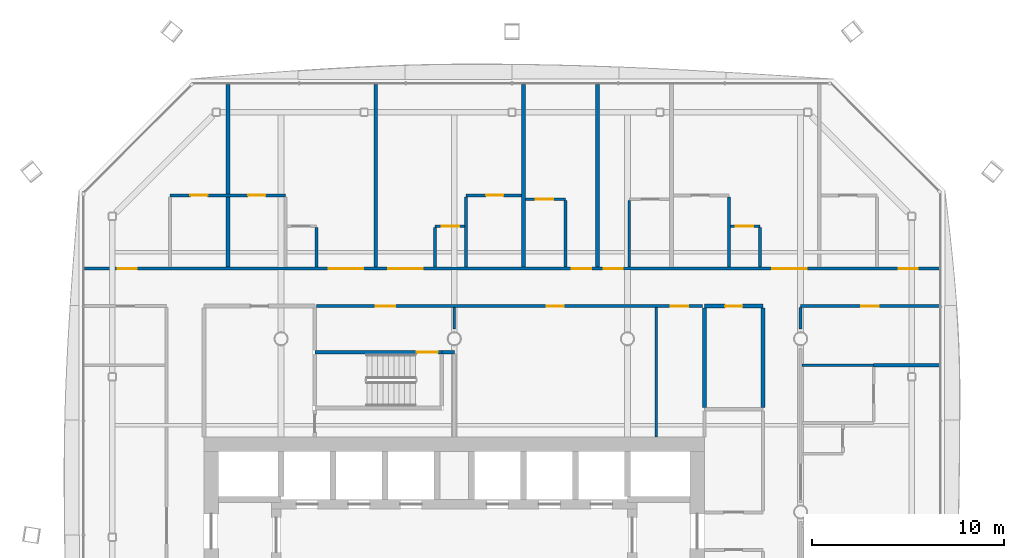
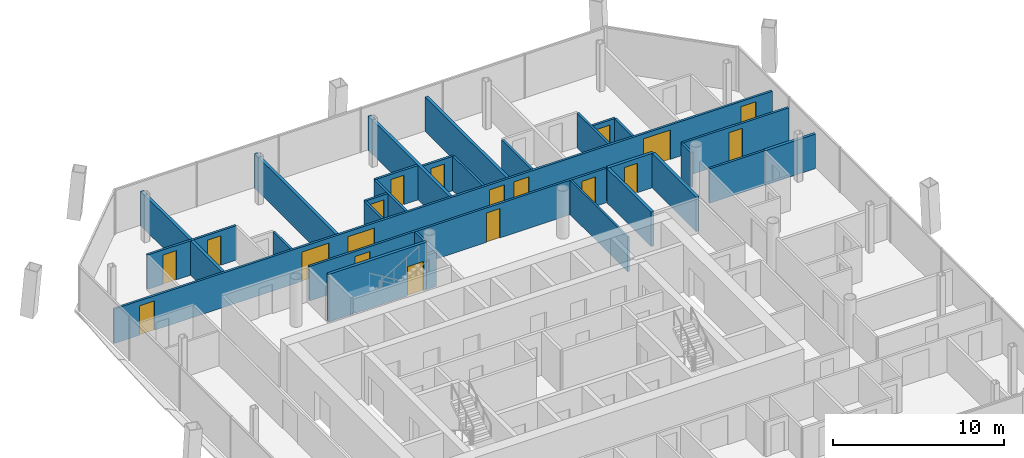
# One storey, part 16 of 21: 29 walls, 19 doors, 19 openings.
"""IFC4 building model written with IfcOpenShell, lengths in metres."""

from ifc_helpers import new_model, si_unit, direction, frame, frame_2d, origin, place, context, subcontext, project, spatial, rectangle, extrude, material, layer, layer_set, type_object, element, fill, save


model = new_model("IFC4")

# Units and contexts
model_context = context("Model", 3, precision=1e-05, world=origin(), true_north=direction((0.0, 1.0)))
body_context = subcontext(model_context, "Body", "Model", "MODEL_VIEW")
ifc_project = project(units=[si_unit("LENGTHUNIT", "METRE"), si_unit("AREAUNIT", "SQUARE_METRE"), si_unit("VOLUMEUNIT", "CUBIC_METRE"), si_unit("PLANEANGLEUNIT", "RADIAN"), si_unit("MASSUNIT", "GRAM", prefix="KILO")], contexts=[model_context])

# Site, building, storey
site_placement = place(None, origin())
site = spatial("IfcSite", under=ifc_project, at=site_placement, CompositionType="ELEMENT")
building_placement = place(site_placement, origin())
building = spatial("IfcBuilding", under=site, at=building_placement, Name="Tskaro Facet Tower", CompositionType="ELEMENT")
storey_placement = place(building_placement, frame((0.0, 0.0, 148.699951171875)))
storey = spatial("IfcBuildingStorey", under=building, at=storey_placement, Name="L36", CompositionType="ELEMENT", Elevation=148.699951171875)

# Walls
ifc_material_1 = material(Name="Gypsum board on steel studs", Category="steel")
ifc_layer_1 = layer(ifc_material_1, 0.125, Name="Gypsum board on steel studs")
ifc_layer_set_1 = layer_set([ifc_layer_1], Name="Gypsum board on steel studs")
wall_type_1 = type_object("IfcWallType", Name="PART", PredefinedType="PARTITIONING", material=ifc_layer_set_1)
wall_1_placement = place(storey_placement, frame((10.5, 3.89990234375, 0.0), z_axis=(0.0, 0.0, 1.0), x_axis=(0.0, 1.0, 0.0)))
element("IfcWall", 1, at=wall_1_placement, inside=storey, type_object=wall_type_1, Name="Partition W101", PredefinedType="PARTITIONING", context=body_context, shape_type="SweptSolid", body=[
    extrude(rectangle(XDim=6.72509765625, YDim=0.125, at=frame_2d((3.362548828125, 0.0))), origin(), (0.0, 0.0, 1.0), 2.4599609375),
])
ifc_layer_2 = layer(ifc_material_1, 0.14990234375, Name="Gypsum board on steel studs")
ifc_layer_set_2 = layer_set([ifc_layer_2], Name="Gypsum board on steel studs")
wall_type_2 = type_object("IfcWallType", Name="PART-CORR", PredefinedType="PARTITIONING", material=ifc_layer_set_2)
wall_2_placement = place(storey_placement, frame((18.074951171875, 7.6259765625, 0.0), z_axis=(0.0, 0.0, 1.0), x_axis=(1.0, 0.0, 0.0)))
element("IfcWall", 2, at=wall_2_placement, inside=storey, type_object=wall_type_2, Name="Corridor wall W035", PredefinedType="PARTITIONING", context=body_context, shape_type="SweptSolid", body=[
    extrude(rectangle(XDim=3.72509765625, YDim=0.14990234375, at=frame_2d((1.862548828125, 0.0))), origin(), (0.0, 0.0, 1.0), 2.4599609375),
])

# Wall, openings, doors
wall_3_placement = place(storey_placement, frame((12.89990234375, 10.699951171875, 0.0), z_axis=(0.0, 0.0, 1.0), x_axis=(-1.0, 0.0, 0.0)))
wall_3 = element("IfcWall", 3, at=wall_3_placement, inside=storey, type_object=wall_type_2, Name="Corridor wall W041", PredefinedType="PARTITIONING", context=body_context, shape_type="SweptSolid", body=[
    extrude(rectangle(XDim=20.0498046875, YDim=0.14990234375, at=frame_2d((10.02490234375, 0.0))), origin(), (0.0, 0.0, 1.0), 2.4599609375),
])
opening_1_placement = place(wall_3_placement, frame((15.97509765625, 0.0, 0.0)))
opening_1 = element("IfcOpeningElement", 4, at=opening_1_placement, cuts=wall_3, Name="Opening T10-D44", PredefinedType="OPENING", context=body_context, shape_type="SweptSolid", body=[
    extrude(rectangle(XDim=1.0, YDim=2.10009765625, at=frame_2d((0.5, 1.050048828125))), frame((0.0, 0.0849609375, 0.0), z_axis=(0.0, -1.0, 0.0), x_axis=(1.0, 0.0, 0.0)), (0.0, 0.0, 1.0), 0.169921875),
])
opening_2_placement = place(wall_3_placement, frame((7.199951171875, 0.0, 0.0)))
opening_2 = element("IfcOpeningElement", 5, at=opening_2_placement, cuts=wall_3, Name="Opening T10-D45", PredefinedType="OPENING", context=body_context, shape_type="SweptSolid", body=[
    extrude(rectangle(XDim=0.89990234375, YDim=2.10009765625, at=frame_2d((0.449951171875, 1.050048828125))), frame((0.0, 0.0849609375, 0.0), z_axis=(0.0, -1.0, 0.0), x_axis=(1.0, 0.0, 0.0)), (0.0, 0.0, 1.0), 0.169921875),
])
opening_3_placement = place(wall_3_placement, frame((0.75, 0.0, 0.0)))
opening_3 = element("IfcOpeningElement", 6, at=opening_3_placement, cuts=wall_3, Name="Opening T10-D46", PredefinedType="OPENING", context=body_context, shape_type="SweptSolid", body=[
    extrude(rectangle(XDim=0.89990234375, YDim=2.10009765625, at=frame_2d((0.449951171875, 1.050048828125))), frame((0.0, 0.0849609375, 0.0), z_axis=(0.0, -1.0, 0.0), x_axis=(1.0, 0.0, 0.0)), (0.0, 0.0, 1.0), 0.169921875),
])
ifc_material_2 = material(Name="Steel", Category="steel")
door_type_1 = type_object("IfcDoorType", Name="D-LOBBY", OperationType="NOTDEFINED", PredefinedType="DOOR", material=ifc_material_2)
door_1_placement = place(opening_1_placement, origin())
door_1 = element("IfcDoor", 7, at=door_1_placement, inside=storey, type_object=door_type_1, Name="Stair lobby door", OperationType="SINGLE_SWING_RIGHT", OverallHeight=2.10009765625, OverallWidth=1.0, PredefinedType="DOOR", context=body_context, shape_type="SweptSolid", body=[
    extrude(rectangle(XDim=1.0, YDim=2.10009765625, at=frame_2d((0.5, 1.050048828125))), frame((0.0, 0.02490234375, 0.0), z_axis=(0.0, -1.0, 0.0), x_axis=(1.0, 0.0, 0.0)), (0.0, 0.0, 1.0), 0.050048828125),
])
fill(opening_1, door_1)
ifc_material_3 = material(Name="Timber", Category="wood")
door_type_2 = type_object("IfcDoorType", Name="D-ROOM", OperationType="NOTDEFINED", PredefinedType="DOOR", material=ifc_material_3)
door_2_placement = place(opening_2_placement, origin())
door_2 = element("IfcDoor", 8, at=door_2_placement, inside=storey, type_object=door_type_2, Name="Door T10-D45", OperationType="SINGLE_SWING_RIGHT", OverallHeight=2.10009765625, OverallWidth=0.89990234375, PredefinedType="DOOR", context=body_context, shape_type="SweptSolid", body=[
    extrude(rectangle(XDim=0.89990234375, YDim=2.10009765625, at=frame_2d((0.449951171875, 1.050048828125))), frame((0.0, 0.02490234375, 0.0), z_axis=(0.0, -1.0, 0.0), x_axis=(1.0, 0.0, 0.0)), (0.0, 0.0, 1.0), 0.050048828125),
])
fill(opening_2, door_2)
door_3_placement = place(opening_3_placement, origin())
door_3 = element("IfcDoor", 9, at=door_3_placement, inside=storey, type_object=door_type_2, Name="Door T10-D46", OperationType="SINGLE_SWING_RIGHT", OverallHeight=2.10009765625, OverallWidth=0.89990234375, PredefinedType="DOOR", context=body_context, shape_type="SweptSolid", body=[
    extrude(rectangle(XDim=0.89990234375, YDim=2.10009765625, at=frame_2d((0.449951171875, 1.050048828125))), frame((0.0, 0.02490234375, 0.0), z_axis=(0.0, -1.0, 0.0), x_axis=(1.0, 0.0, 0.0)), (0.0, 0.0, 1.0), 0.050048828125),
])
fill(opening_3, door_3)

# Wall, opening, door
wall_4_placement = place(storey_placement, frame((25.221923828125, 10.699951171875, 0.0), z_axis=(0.0, 0.0, 1.0), x_axis=(-1.0, 0.0, 0.0)))
wall_4 = element("IfcWall", 10, at=wall_4_placement, inside=storey, type_object=wall_type_2, Name="Corridor wall W043", PredefinedType="PARTITIONING", context=body_context, shape_type="SweptSolid", body=[
    extrude(rectangle(XDim=7.221923828125, YDim=0.14990234375, at=frame_2d((3.61083984375, 0.0))), origin(), (0.0, 0.0, 1.0), 2.4599609375),
])
opening_4_placement = place(wall_4_placement, frame((3.160888671875, 0.0, 0.0)))
opening_4 = element("IfcOpeningElement", 11, at=opening_4_placement, cuts=wall_4, Name="Opening T10-D48", PredefinedType="OPENING", context=body_context, shape_type="SweptSolid", body=[
    extrude(rectangle(XDim=0.89990234375, YDim=2.10009765625, at=frame_2d((0.449951171875, 1.050048828125))), frame((0.0, 0.0849609375, 0.0), z_axis=(0.0, -1.0, 0.0), x_axis=(1.0, 0.0, 0.0)), (0.0, 0.0, 1.0), 0.169921875),
])
door_4_placement = place(opening_4_placement, origin())
door_4 = element("IfcDoor", 12, at=door_4_placement, inside=storey, type_object=door_type_2, Name="Door T10-D48", OperationType="SINGLE_SWING_RIGHT", OverallHeight=2.10009765625, OverallWidth=0.89990234375, PredefinedType="DOOR", context=body_context, shape_type="SweptSolid", body=[
    extrude(rectangle(XDim=0.89990234375, YDim=2.10009765625, at=frame_2d((0.449951171875, 1.050048828125))), frame((0.0, 0.02490234375, 0.0), z_axis=(0.0, -1.0, 0.0), x_axis=(1.0, 0.0, 0.0)), (0.0, 0.0, 1.0), 0.050048828125),
])
fill(opening_4, door_4)

# Wall, openings, doors
wall_5_placement = place(storey_placement, frame((-19.221923828125, 12.64990234375, 0.0), z_axis=(0.0, 0.0, 1.0), x_axis=(1.0, 0.0, 0.0)))
wall_5 = element("IfcWall", 13, at=wall_5_placement, inside=storey, type_object=wall_type_2, Name="Corridor wall W044", PredefinedType="PARTITIONING", context=body_context, shape_type="SweptSolid", body=[
    extrude(rectangle(XDim=44.44384765625, YDim=0.14990234375, at=frame_2d((22.221923828125, 0.0))), origin(), (0.0, 0.0, 1.0), 2.4599609375),
])
opening_5_placement = place(wall_5_placement, frame((1.72705078125, 0.0, 0.0)))
opening_5 = element("IfcOpeningElement", 14, at=opening_5_placement, cuts=wall_5, Name="Opening T10-D49", PredefinedType="OPENING", context=body_context, shape_type="SweptSolid", body=[
    extrude(rectangle(XDim=1.0, YDim=2.10009765625, at=frame_2d((0.5, 1.050048828125))), frame((0.0, 0.0849609375, 0.0), z_axis=(0.0, -1.0, 0.0), x_axis=(1.0, 0.0, 0.0)), (0.0, 0.0, 1.0), 0.169921875),
])
opening_6_placement = place(wall_5_placement, frame((12.696044921875, 0.0, 0.0)))
opening_6 = element("IfcOpeningElement", 15, at=opening_6_placement, cuts=wall_5, Name="Opening T10-D50", PredefinedType="OPENING", context=body_context, shape_type="SweptSolid", body=[
    extrude(rectangle(XDim=1.800048828125, YDim=2.10009765625, at=frame_2d((0.89990234375, 1.050048828125))), frame((0.0, 0.0849609375, 0.0), z_axis=(0.0, -1.0, 0.0), x_axis=(1.0, 0.0, 0.0)), (0.0, 0.0, 1.0), 0.169921875),
])
opening_7_placement = place(wall_5_placement, frame((15.780029296875, 0.0, 0.0)))
opening_7 = element("IfcOpeningElement", 16, at=opening_7_placement, cuts=wall_5, Name="Opening T10-D51", PredefinedType="OPENING", context=body_context, shape_type="SweptSolid", body=[
    extrude(rectangle(XDim=1.800048828125, YDim=2.10009765625, at=frame_2d((0.89990234375, 1.050048828125))), frame((0.0, 0.0849609375, 0.0), z_axis=(0.0, -1.0, 0.0), x_axis=(1.0, 0.0, 0.0)), (0.0, 0.0, 1.0), 0.169921875),
])
opening_8_placement = place(wall_5_placement, frame((25.337890625, 0.0, 0.0)))
opening_8 = element("IfcOpeningElement", 17, at=opening_8_placement, cuts=wall_5, Name="Opening T10-D52", PredefinedType="OPENING", context=body_context, shape_type="SweptSolid", body=[
    extrude(rectangle(XDim=1.0, YDim=2.10009765625, at=frame_2d((0.5, 1.050048828125))), frame((0.0, 0.0849609375, 0.0), z_axis=(0.0, -1.0, 0.0), x_axis=(1.0, 0.0, 0.0)), (0.0, 0.0, 1.0), 0.169921875),
])
opening_9_placement = place(wall_5_placement, frame((26.989990234375, 0.0, 0.0)))
opening_9 = element("IfcOpeningElement", 18, at=opening_9_placement, cuts=wall_5, Name="Opening T10-D53", PredefinedType="OPENING", context=body_context, shape_type="SweptSolid", body=[
    extrude(rectangle(XDim=1.0, YDim=2.10009765625, at=frame_2d((0.5, 1.050048828125))), frame((0.0, 0.0849609375, 0.0), z_axis=(0.0, -1.0, 0.0), x_axis=(1.0, 0.0, 0.0)), (0.0, 0.0, 1.0), 0.169921875),
])
opening_10_placement = place(wall_5_placement, frame((35.748046875, 0.0, 0.0)))
opening_10 = element("IfcOpeningElement", 19, at=opening_10_placement, cuts=wall_5, Name="Opening T10-D54", PredefinedType="OPENING", context=body_context, shape_type="SweptSolid", body=[
    extrude(rectangle(XDim=1.800048828125, YDim=2.10009765625, at=frame_2d((0.89990234375, 1.050048828125))), frame((0.0, 0.0849609375, 0.0), z_axis=(0.0, -1.0, 0.0), x_axis=(1.0, 0.0, 0.0)), (0.0, 0.0, 1.0), 0.169921875),
])
opening_11_placement = place(wall_5_placement, frame((42.31689453125, 0.0, 0.0)))
opening_11 = element("IfcOpeningElement", 20, at=opening_11_placement, cuts=wall_5, Name="Opening T10-D55", PredefinedType="OPENING", context=body_context, shape_type="SweptSolid", body=[
    extrude(rectangle(XDim=1.0, YDim=2.10009765625, at=frame_2d((0.5, 1.050048828125))), frame((0.0, 0.0849609375, 0.0), z_axis=(0.0, -1.0, 0.0), x_axis=(1.0, 0.0, 0.0)), (0.0, 0.0, 1.0), 0.169921875),
])
door_type_3 = type_object("IfcDoorType", Name="D-ENTRY", OperationType="NOTDEFINED", PredefinedType="DOOR", material=ifc_material_3)
door_5_placement = place(opening_5_placement, origin())
door_5 = element("IfcDoor", 21, at=door_5_placement, inside=storey, type_object=door_type_3, Name="Door T10-D49", OperationType="SINGLE_SWING_RIGHT", OverallHeight=2.10009765625, OverallWidth=1.0, PredefinedType="DOOR", context=body_context, shape_type="SweptSolid", body=[
    extrude(rectangle(XDim=1.0, YDim=2.10009765625, at=frame_2d((0.5, 1.050048828125))), frame((0.0, 0.02490234375, 0.0), z_axis=(0.0, -1.0, 0.0), x_axis=(1.0, 0.0, 0.0)), (0.0, 0.0, 1.0), 0.050048828125),
])
fill(opening_5, door_5)
door_6_placement = place(opening_8_placement, origin())
door_6 = element("IfcDoor", 22, at=door_6_placement, inside=storey, type_object=door_type_3, Name="Door T10-D52", OperationType="SINGLE_SWING_RIGHT", OverallHeight=2.10009765625, OverallWidth=1.0, PredefinedType="DOOR", context=body_context, shape_type="SweptSolid", body=[
    extrude(rectangle(XDim=1.0, YDim=2.10009765625, at=frame_2d((0.5, 1.050048828125))), frame((0.0, 0.02490234375, 0.0), z_axis=(0.0, -1.0, 0.0), x_axis=(1.0, 0.0, 0.0)), (0.0, 0.0, 1.0), 0.050048828125),
])
fill(opening_8, door_6)
door_7_placement = place(opening_9_placement, origin())
door_7 = element("IfcDoor", 23, at=door_7_placement, inside=storey, type_object=door_type_3, Name="Door T10-D53", OperationType="SINGLE_SWING_RIGHT", OverallHeight=2.10009765625, OverallWidth=1.0, PredefinedType="DOOR", context=body_context, shape_type="SweptSolid", body=[
    extrude(rectangle(XDim=1.0, YDim=2.10009765625, at=frame_2d((0.5, 1.050048828125))), frame((0.0, 0.02490234375, 0.0), z_axis=(0.0, -1.0, 0.0), x_axis=(1.0, 0.0, 0.0)), (0.0, 0.0, 1.0), 0.050048828125),
])
fill(opening_9, door_7)
door_8_placement = place(opening_11_placement, origin())
door_8 = element("IfcDoor", 24, at=door_8_placement, inside=storey, type_object=door_type_3, Name="Door T10-D55", OperationType="SINGLE_SWING_RIGHT", OverallHeight=2.10009765625, OverallWidth=1.0, PredefinedType="DOOR", context=body_context, shape_type="SweptSolid", body=[
    extrude(rectangle(XDim=1.0, YDim=2.10009765625, at=frame_2d((0.5, 1.050048828125))), frame((0.0, 0.02490234375, 0.0), z_axis=(0.0, -1.0, 0.0), x_axis=(1.0, 0.0, 0.0)), (0.0, 0.0, 1.0), 0.050048828125),
])
fill(opening_11, door_8)
door_type_4 = type_object("IfcDoorType", Name="D-SUITE-PAIR", OperationType="NOTDEFINED", PredefinedType="DOOR", material=ifc_material_3)
door_9_placement = place(opening_6_placement, origin())
door_9 = element("IfcDoor", 25, at=door_9_placement, inside=storey, type_object=door_type_4, Name="Door T10-D50", OperationType="DOUBLE_DOOR_SINGLE_SWING", OverallHeight=2.10009765625, OverallWidth=1.800048828125, PredefinedType="DOOR", context=body_context, shape_type="SweptSolid", body=[
    extrude(rectangle(XDim=1.800048828125, YDim=2.10009765625, at=frame_2d((0.89990234375, 1.050048828125))), frame((0.0, 0.02490234375, 0.0), z_axis=(0.0, -1.0, 0.0), x_axis=(1.0, 0.0, 0.0)), (0.0, 0.0, 1.0), 0.050048828125),
])
fill(opening_6, door_9)
door_10_placement = place(opening_7_placement, origin())
door_10 = element("IfcDoor", 26, at=door_10_placement, inside=storey, type_object=door_type_4, Name="Door T10-D51", OperationType="DOUBLE_DOOR_SINGLE_SWING", OverallHeight=2.10009765625, OverallWidth=1.800048828125, PredefinedType="DOOR", context=body_context, shape_type="SweptSolid", body=[
    extrude(rectangle(XDim=1.800048828125, YDim=2.10009765625, at=frame_2d((0.89990234375, 1.050048828125))), frame((0.0, 0.02490234375, 0.0), z_axis=(0.0, -1.0, 0.0), x_axis=(1.0, 0.0, 0.0)), (0.0, 0.0, 1.0), 0.050048828125),
])
fill(opening_7, door_10)
door_11_placement = place(opening_10_placement, origin())
door_11 = element("IfcDoor", 27, at=door_11_placement, inside=storey, type_object=door_type_4, Name="Door T10-D54", OperationType="DOUBLE_DOOR_SINGLE_SWING", OverallHeight=2.10009765625, OverallWidth=1.800048828125, PredefinedType="DOOR", context=body_context, shape_type="SweptSolid", body=[
    extrude(rectangle(XDim=1.800048828125, YDim=2.10009765625, at=frame_2d((0.89990234375, 1.050048828125))), frame((0.0, 0.02490234375, 0.0), z_axis=(0.0, -1.0, 0.0), x_axis=(1.0, 0.0, 0.0)), (0.0, 0.0, 1.0), 0.050048828125),
])
fill(opening_10, door_11)

# Wall, opening, door
wall_6_placement = place(storey_placement, frame((0.52490234375, 14.85009765625, 0.0), z_axis=(0.0, 0.0, 1.0), x_axis=(-1.0, 0.0, 0.0)))
wall_6 = element("IfcWall", 28, at=wall_6_placement, inside=storey, type_object=wall_type_2, Name="Corridor wall W046", PredefinedType="PARTITIONING", context=body_context, shape_type="SweptSolid", body=[
    extrude(rectangle(XDim=1.52490234375, YDim=0.14990234375, at=frame_2d((0.762451171875, 0.0))), origin(), (0.0, 0.0, 1.0), 2.4599609375),
])
opening_12_placement = place(wall_6_placement, frame((0.27490234375, 0.0, 0.0)))
opening_12 = element("IfcOpeningElement", 29, at=opening_12_placement, cuts=wall_6, Name="Opening T10-D57", PredefinedType="OPENING", context=body_context, shape_type="SweptSolid", body=[
    extrude(rectangle(XDim=0.89990234375, YDim=2.10009765625, at=frame_2d((0.449951171875, 1.050048828125))), frame((0.0, 0.0849609375, 0.0), z_axis=(0.0, -1.0, 0.0), x_axis=(1.0, 0.0, 0.0)), (0.0, 0.0, 1.0), 0.169921875),
])
door_12_placement = place(opening_12_placement, origin())
door_12 = element("IfcDoor", 30, at=door_12_placement, inside=storey, type_object=door_type_2, Name="Door T10-D57", OperationType="SINGLE_SWING_RIGHT", OverallHeight=2.10009765625, OverallWidth=0.89990234375, PredefinedType="DOOR", context=body_context, shape_type="SweptSolid", body=[
    extrude(rectangle(XDim=0.89990234375, YDim=2.10009765625, at=frame_2d((0.449951171875, 1.050048828125))), frame((0.0, 0.02490234375, 0.0), z_axis=(0.0, -1.0, 0.0), x_axis=(1.0, 0.0, 0.0)), (0.0, 0.0, 1.0), 0.050048828125),
])
fill(opening_12, door_12)

wall_7_placement = place(storey_placement, frame((15.884033203125, 14.85009765625, 0.0), z_axis=(0.0, 0.0, 1.0), x_axis=(-1.0, 0.0, 0.0)))
wall_7 = element("IfcWall", 31, at=wall_7_placement, inside=storey, type_object=wall_type_2, Name="Corridor wall W047", PredefinedType="PARTITIONING", context=body_context, shape_type="SweptSolid", body=[
    extrude(rectangle(XDim=1.525146484375, YDim=0.14990234375, at=frame_2d((0.7626953125, 0.0))), origin(), (0.0, 0.0, 1.0), 2.4599609375),
])
opening_13_placement = place(wall_7_placement, frame((0.35009765625, 0.0, 0.0)))
opening_13 = element("IfcOpeningElement", 32, at=opening_13_placement, cuts=wall_7, Name="Opening T10-D58", PredefinedType="OPENING", context=body_context, shape_type="SweptSolid", body=[
    extrude(rectangle(XDim=0.89990234375, YDim=2.10009765625, at=frame_2d((0.449951171875, 1.050048828125))), frame((0.0, 0.0849609375, 0.0), z_axis=(0.0, -1.0, 0.0), x_axis=(1.0, 0.0, 0.0)), (0.0, 0.0, 1.0), 0.169921875),
])
door_13_placement = place(opening_13_placement, origin())
door_13 = element("IfcDoor", 33, at=door_13_placement, inside=storey, type_object=door_type_2, Name="Door T10-D58", OperationType="SINGLE_SWING_RIGHT", OverallHeight=2.10009765625, OverallWidth=0.89990234375, PredefinedType="DOOR", context=body_context, shape_type="SweptSolid", body=[
    extrude(rectangle(XDim=0.89990234375, YDim=2.10009765625, at=frame_2d((0.449951171875, 1.050048828125))), frame((0.0, 0.02490234375, 0.0), z_axis=(0.0, -1.0, 0.0), x_axis=(1.0, 0.0, 0.0)), (0.0, 0.0, 1.0), 0.050048828125),
])
fill(opening_13, door_13)

wall_8_placement = place(storey_placement, frame((5.7900390625, 16.25, 0.0), z_axis=(0.0, 0.0, 1.0), x_axis=(-1.0, 0.0, 0.0)))
wall_8 = element("IfcWall", 34, at=wall_8_placement, inside=storey, type_object=wall_type_2, Name="Corridor wall W048", PredefinedType="PARTITIONING", context=body_context, shape_type="SweptSolid", body=[
    extrude(rectangle(XDim=2.090087890625, YDim=0.14990234375, at=frame_2d((1.044921875, 0.0))), origin(), (0.0, 0.0, 1.0), 2.4599609375),
])
opening_14_placement = place(wall_8_placement, frame((0.64501953125, 0.0, 0.0)))
opening_14 = element("IfcOpeningElement", 35, at=opening_14_placement, cuts=wall_8, Name="Opening T10-D59", PredefinedType="OPENING", context=body_context, shape_type="SweptSolid", body=[
    extrude(rectangle(XDim=0.89990234375, YDim=2.10009765625, at=frame_2d((0.449951171875, 1.050048828125))), frame((0.0, 0.0849609375, 0.0), z_axis=(0.0, -1.0, 0.0), x_axis=(1.0, 0.0, 0.0)), (0.0, 0.0, 1.0), 0.169921875),
])
door_14_placement = place(opening_14_placement, origin())
door_14 = element("IfcDoor", 36, at=door_14_placement, inside=storey, type_object=door_type_2, Name="Door T10-D59", OperationType="SINGLE_SWING_RIGHT", OverallHeight=2.10009765625, OverallWidth=0.89990234375, PredefinedType="DOOR", context=body_context, shape_type="SweptSolid", body=[
    extrude(rectangle(XDim=0.89990234375, YDim=2.10009765625, at=frame_2d((0.449951171875, 1.050048828125))), frame((0.0, 0.02490234375, 0.0), z_axis=(0.0, -1.0, 0.0), x_axis=(1.0, 0.0, 0.0)), (0.0, 0.0, 1.0), 0.050048828125),
])
fill(opening_14, door_14)

# Wall, openings, doors
wall_9_placement = place(storey_placement, frame((-8.76806640625, 16.449951171875, 0.0), z_axis=(0.0, 0.0, 1.0), x_axis=(-1.0, 0.0, 0.0)))
wall_9 = element("IfcWall", 37, at=wall_9_placement, inside=storey, type_object=wall_type_2, Name="Corridor wall W050", PredefinedType="PARTITIONING", context=body_context, shape_type="SweptSolid", body=[
    extrude(rectangle(XDim=6.0, YDim=0.14990234375, at=frame_2d((3.0, 0.0))), origin(), (0.0, 0.0, 1.0), 2.4599609375),
])
opening_15_placement = place(wall_9_placement, frame((4.050048828125, 0.0, 0.0)))
opening_15 = element("IfcOpeningElement", 38, at=opening_15_placement, cuts=wall_9, Name="Opening T10-D61", PredefinedType="OPENING", context=body_context, shape_type="SweptSolid", body=[
    extrude(rectangle(XDim=0.89990234375, YDim=2.10009765625, at=frame_2d((0.449951171875, 1.050048828125))), frame((0.0, 0.0849609375, 0.0), z_axis=(0.0, -1.0, 0.0), x_axis=(1.0, 0.0, 0.0)), (0.0, 0.0, 1.0), 0.169921875),
])
opening_16_placement = place(wall_9_placement, frame((1.050048828125, 0.0, 0.0)))
opening_16 = element("IfcOpeningElement", 39, at=opening_16_placement, cuts=wall_9, Name="Opening T10-D62", PredefinedType="OPENING", context=body_context, shape_type="SweptSolid", body=[
    extrude(rectangle(XDim=0.89990234375, YDim=2.10009765625, at=frame_2d((0.449951171875, 1.050048828125))), frame((0.0, 0.0849609375, 0.0), z_axis=(0.0, -1.0, 0.0), x_axis=(1.0, 0.0, 0.0)), (0.0, 0.0, 1.0), 0.169921875),
])
door_15_placement = place(opening_15_placement, origin())
door_15 = element("IfcDoor", 40, at=door_15_placement, inside=storey, type_object=door_type_2, Name="Door T10-D61", OperationType="SINGLE_SWING_RIGHT", OverallHeight=2.10009765625, OverallWidth=0.89990234375, PredefinedType="DOOR", context=body_context, shape_type="SweptSolid", body=[
    extrude(rectangle(XDim=0.89990234375, YDim=2.10009765625, at=frame_2d((0.449951171875, 1.050048828125))), frame((0.0, 0.02490234375, 0.0), z_axis=(0.0, -1.0, 0.0), x_axis=(1.0, 0.0, 0.0)), (0.0, 0.0, 1.0), 0.050048828125),
])
fill(opening_15, door_15)
door_16_placement = place(opening_16_placement, origin())
door_16 = element("IfcDoor", 41, at=door_16_placement, inside=storey, type_object=door_type_2, Name="Door T10-D62", OperationType="SINGLE_SWING_RIGHT", OverallHeight=2.10009765625, OverallWidth=0.89990234375, PredefinedType="DOOR", context=body_context, shape_type="SweptSolid", body=[
    extrude(rectangle(XDim=0.89990234375, YDim=2.10009765625, at=frame_2d((0.449951171875, 1.050048828125))), frame((0.0, 0.02490234375, 0.0), z_axis=(0.0, -1.0, 0.0), x_axis=(1.0, 0.0, 0.0)), (0.0, 0.0, 1.0), 0.050048828125),
])
fill(opening_16, door_16)

# Wall, opening, door
wall_10_placement = place(storey_placement, frame((3.5, 16.449951171875, 0.0), z_axis=(0.0, 0.0, 1.0), x_axis=(-1.0, 0.0, 0.0)))
wall_10 = element("IfcWall", 42, at=wall_10_placement, inside=storey, type_object=wall_type_2, Name="Corridor wall W051", PredefinedType="PARTITIONING", context=body_context, shape_type="SweptSolid", body=[
    extrude(rectangle(XDim=2.89990234375, YDim=0.14990234375, at=frame_2d((1.449951171875, 0.0))), origin(), (0.0, 0.0, 1.0), 2.4599609375),
])
opening_17_placement = place(wall_10_placement, frame((0.949951171875, 0.0, 0.0)))
opening_17 = element("IfcOpeningElement", 43, at=opening_17_placement, cuts=wall_10, Name="Opening T10-D63", PredefinedType="OPENING", context=body_context, shape_type="SweptSolid", body=[
    extrude(rectangle(XDim=0.89990234375, YDim=2.10009765625, at=frame_2d((0.449951171875, 1.050048828125))), frame((0.0, 0.0849609375, 0.0), z_axis=(0.0, -1.0, 0.0), x_axis=(1.0, 0.0, 0.0)), (0.0, 0.0, 1.0), 0.169921875),
])
door_17_placement = place(opening_17_placement, origin())
door_17 = element("IfcDoor", 44, at=door_17_placement, inside=storey, type_object=door_type_2, Name="Door T10-D63", OperationType="SINGLE_SWING_RIGHT", OverallHeight=2.10009765625, OverallWidth=0.89990234375, PredefinedType="DOOR", context=body_context, shape_type="SweptSolid", body=[
    extrude(rectangle(XDim=0.89990234375, YDim=2.10009765625, at=frame_2d((0.449951171875, 1.050048828125))), frame((0.0, 0.02490234375, 0.0), z_axis=(0.0, -1.0, 0.0), x_axis=(1.0, 0.0, 0.0)), (0.0, 0.0, 1.0), 0.050048828125),
])
fill(opening_17, door_17)

# Walls
for number, where, z_axis, x_axis, name in (
    (45, (-7.16796875, 12.72509765625, 0.0), (0.0, 0.0, 1.0), (0.0, 1.0, 0.0), "Corridor wall W067"),
    (46, (-1.0, 12.72509765625, 0.0), (0.0, 0.0, 1.0), (0.0, 1.0, 0.0), "Corridor wall W076"),
):
    element("IfcWall", number, at=place(storey_placement, frame(where, z_axis=z_axis, x_axis=x_axis)), inside=storey, type_object=wall_type_2, Name=name, PredefinedType="PARTITIONING", context=body_context, shape_type="SweptSolid", body=[
        extrude(rectangle(XDim=2.0498046875, YDim=0.14990234375, at=frame_2d((1.02490234375, 0.0))), origin(), (0.0, 0.0, 1.0), 2.4599609375),
    ])
wall_11_placement = place(storey_placement, frame((0.0, 9.5, 0.0), z_axis=(0.0, 0.0, 1.0), x_axis=(0.0, 1.0, 0.0)))
element("IfcWall", 47, at=wall_11_placement, inside=storey, type_object=wall_type_2, Name="Corridor wall W083", PredefinedType="PARTITIONING", context=body_context, shape_type="SweptSolid", body=[
    extrude(rectangle(XDim=1.125, YDim=0.14990234375, at=frame_2d((0.5625, 0.0))), origin(), (0.0, 0.0, 1.0), 2.4599609375),
])
wall_12_placement = place(storey_placement, frame((0.60009765625, 12.72509765625, 0.0), z_axis=(0.0, 0.0, 1.0), x_axis=(0.0, 1.0, 0.0)))
element("IfcWall", 48, at=wall_12_placement, inside=storey, type_object=wall_type_2, Name="Corridor wall W084", PredefinedType="PARTITIONING", context=body_context, shape_type="SweptSolid", body=[
    extrude(rectangle(XDim=3.64990234375, YDim=0.14990234375, at=frame_2d((1.824951171875, 0.0))), origin(), (0.0, 0.0, 1.0), 2.4599609375),
])
for number, where, z_axis, x_axis, name in (
    (49, (5.7900390625, 12.72509765625, 0.0), (0.0, 0.0, 1.0), (0.0, 1.0, 0.0), "Corridor wall W092"),
    (50, (9.093994140625, 12.72509765625, 0.0), (0.0, 0.0, 1.0), (0.0, 1.0, 0.0), "Corridor wall W099"),
):
    element("IfcWall", number, at=place(storey_placement, frame(where, z_axis=z_axis, x_axis=x_axis)), inside=storey, type_object=wall_type_2, Name=name, PredefinedType="PARTITIONING", context=body_context, shape_type="SweptSolid", body=[
        extrude(rectangle(XDim=3.449951171875, YDim=0.14990234375, at=frame_2d((1.72509765625, 0.0))), origin(), (0.0, 0.0, 1.0), 2.4599609375),
    ])
wall_13_placement = place(storey_placement, frame((14.283935546875, 12.72509765625, 0.0), z_axis=(0.0, 0.0, 1.0), x_axis=(0.0, 1.0, 0.0)))
element("IfcWall", 51, at=wall_13_placement, inside=storey, type_object=wall_type_2, Name="Corridor wall W106", PredefinedType="PARTITIONING", context=body_context, shape_type="SweptSolid", body=[
    extrude(rectangle(XDim=3.64990234375, YDim=0.14990234375, at=frame_2d((1.824951171875, 0.0))), origin(), (0.0, 0.0, 1.0), 2.4599609375),
])
wall_14_placement = place(storey_placement, frame((15.884033203125, 12.72509765625, 0.0), z_axis=(0.0, 0.0, 1.0), x_axis=(0.0, 1.0, 0.0)))
element("IfcWall", 52, at=wall_14_placement, inside=storey, type_object=wall_type_2, Name="Corridor wall W108", PredefinedType="PARTITIONING", context=body_context, shape_type="SweptSolid", body=[
    extrude(rectangle(XDim=2.0498046875, YDim=0.14990234375, at=frame_2d((1.02490234375, 0.0))), origin(), (0.0, 0.0, 1.0), 2.4599609375),
])
wall_15_placement = place(storey_placement, frame((18.0, 9.5, 0.0), z_axis=(0.0, 0.0, 1.0), x_axis=(0.0, 1.0, 0.0)))
element("IfcWall", 53, at=wall_15_placement, inside=storey, type_object=wall_type_2, Name="Corridor wall W116", PredefinedType="PARTITIONING", context=body_context, shape_type="SweptSolid", body=[
    extrude(rectangle(XDim=1.125, YDim=0.14990234375, at=frame_2d((0.5625, 0.0))), origin(), (0.0, 0.0, 1.0), 2.4599609375),
])
ifc_layer_3 = layer(ifc_material_1, 0.199951171875, Name="Gypsum board on steel studs")
ifc_layer_set_3 = layer_set([ifc_layer_3], Name="Gypsum board on steel studs")
wall_type_3 = type_object("IfcWallType", Name="PART-DEMISING", PredefinedType="PARTITIONING", material=ifc_layer_set_3)
wall_16_placement = place(storey_placement, frame((21.800048828125, 7.6259765625, 0.0), z_axis=(0.0, 0.0, 1.0), x_axis=(1.0, 0.0, 0.0)))
element("IfcWall", 54, at=wall_16_placement, inside=storey, type_object=wall_type_3, Name="Guest room wall W036", PredefinedType="PARTITIONING", context=body_context, shape_type="SweptSolid", body=[
    extrude(rectangle(XDim=3.421875, YDim=0.199951171875, at=frame_2d((1.7109375, 0.0))), origin(), (0.0, 0.0, 1.0), 2.4599609375),
])
for number, where, z_axis, x_axis, name in (
    (55, (-11.76806640625, 12.72509765625, 0.0), (0.0, 0.0, 1.0), (0.0, 1.0, 0.0), "Guest room wall W059"),
    (56, (-4.083984375, 12.72509765625, 0.0), (0.0, 0.0, 1.0), (0.0, 1.0, 0.0), "Guest room wall W072"),
    (57, (3.60009765625, 12.72509765625, 0.0), (0.0, 0.0, 1.0), (0.0, 1.0, 0.0), "Guest room wall W091"),
    (58, (7.44189453125, 12.72509765625, 0.0), (0.0, 0.0, 1.0), (0.0, 1.0, 0.0), "Guest room wall W096"),
):
    element("IfcWall", number, at=place(storey_placement, frame(where, z_axis=z_axis, x_axis=x_axis)), inside=storey, type_object=wall_type_3, Name=name, PredefinedType="PARTITIONING", context=body_context, shape_type="SweptSolid", body=[
        extrude(rectangle(XDim=9.496826171875, YDim=0.199951171875, at=frame_2d((4.74853515625, 0.0))), origin(), (0.0, 0.0, 1.0), 2.4599609375),
    ])

# Wall, opening, door
ifc_material_4 = material(Name="Concrete C60/75", Category="concrete")
ifc_layer_4 = layer(ifc_material_4, 0.199951171875, Name="Concrete C60/75")
ifc_layer_set_4 = layer_set([ifc_layer_4], Name="Concrete C60/75")
wall_type_4 = type_object("IfcWallType", Name="STAIR-WALL", PredefinedType="SHEAR", material=ifc_layer_set_4)
wall_17_placement = place(storey_placement, frame((-0.64990234375, 8.300048828125, 0.0), z_axis=(0.0, 0.0, 1.0), x_axis=(-1.0, 0.0, 0.0)))
wall_17 = element("IfcWall", 59, at=wall_17_placement, inside=storey, type_object=wall_type_4, Name="Stair wall W037", PredefinedType="SHEAR", context=body_context, shape_type="SweptSolid", body=[
    extrude(rectangle(XDim=6.60009765625, YDim=0.199951171875, at=frame_2d((3.300048828125, 0.0))), origin(), (0.0, 0.0, 1.0), 3.400146484375),
])
opening_18_placement = place(wall_17_placement, frame((0.199951171875, 0.0, 0.0)))
opening_18 = element("IfcOpeningElement", 60, at=opening_18_placement, cuts=wall_17, Name="Opening ST-3-D1", PredefinedType="OPENING", context=body_context, shape_type="SweptSolid", body=[
    extrude(rectangle(XDim=1.10009765625, YDim=2.10009765625, at=frame_2d((0.550048828125, 1.050048828125))), frame((0.0, 0.10986328125, 0.0), z_axis=(0.0, -1.0, 0.0), x_axis=(1.0, 0.0, 0.0)), (0.0, 0.0, 1.0), 0.219970703125),
])
door_type_5 = type_object("IfcDoorType", Name="D-STAIR", OperationType="NOTDEFINED", PredefinedType="DOOR", material=ifc_material_2)
door_18_placement = place(opening_18_placement, origin())
door_18 = element("IfcDoor", 61, at=door_18_placement, inside=storey, type_object=door_type_5, Name="Stair door 3", OperationType="SINGLE_SWING_RIGHT", OverallHeight=2.10009765625, OverallWidth=1.10009765625, PredefinedType="DOOR", context=body_context, shape_type="SweptSolid", body=[
    extrude(rectangle(XDim=1.10009765625, YDim=2.10009765625, at=frame_2d((0.550048828125, 1.050048828125))), frame((0.0, 0.02490234375, 0.0), z_axis=(0.0, -1.0, 0.0), x_axis=(1.0, 0.0, 0.0)), (0.0, 0.0, 1.0), 0.050048828125),
])
fill(opening_18, door_18)

# Wall
ifc_material_5 = material(Name="Concrete C20/25", Category="concrete")
ifc_layer_5 = layer(ifc_material_5, 0.199951171875, Name="Concrete C20/25")
ifc_layer_set_5 = layer_set([ifc_layer_5], Name="Concrete C20/25")
wall_type_5 = type_object("IfcWallType", Name="WALL-RISER", PredefinedType="SOLIDWALL", material=ifc_layer_set_5)
wall_18_placement = place(storey_placement, frame((-0.64990234375, 8.300048828125, 0.0), z_axis=(0.0, 0.0, 1.0), x_axis=(1.0, 0.0, 0.0)))
element("IfcWall", 62, at=wall_18_placement, inside=storey, type_object=wall_type_5, Name="Riser room wall W038", PredefinedType="SOLIDWALL", context=body_context, shape_type="SweptSolid", body=[
    extrude(rectangle(XDim=0.64990234375, YDim=0.199951171875, at=frame_2d((0.324951171875, 0.0))), origin(), (0.0, 0.0, 1.0), 2.4599609375),
])

# Wall, opening, door
wall_19_placement = place(storey_placement, frame((16.050048828125, 10.699951171875, 0.0), z_axis=(0.0, 0.0, 1.0), x_axis=(-1.0, 0.0, 0.0)))
wall_19 = element("IfcWall", 63, at=wall_19_placement, inside=storey, type_object=wall_type_5, Name="Riser room wall W042", PredefinedType="SOLIDWALL", context=body_context, shape_type="SweptSolid", body=[
    extrude(rectangle(XDim=3.050048828125, YDim=0.199951171875, at=frame_2d((1.52490234375, 0.0))), origin(), (0.0, 0.0, 1.0), 2.4599609375),
])
opening_19_placement = place(wall_19_placement, frame((1.074951171875, 0.0, 0.0)))
opening_19 = element("IfcOpeningElement", 64, at=opening_19_placement, cuts=wall_19, Name="Opening T10-D47", PredefinedType="OPENING", context=body_context, shape_type="SweptSolid", body=[
    extrude(rectangle(XDim=0.89990234375, YDim=2.10009765625, at=frame_2d((0.449951171875, 1.050048828125))), frame((0.0, 0.10986328125, 0.0), z_axis=(0.0, -1.0, 0.0), x_axis=(1.0, 0.0, 0.0)), (0.0, 0.0, 1.0), 0.219970703125),
])
door_type_6 = type_object("IfcDoorType", Name="D-RISER", OperationType="NOTDEFINED", PredefinedType="DOOR", material=ifc_material_2)
door_19_placement = place(opening_19_placement, origin())
door_19 = element("IfcDoor", 65, at=door_19_placement, inside=storey, type_object=door_type_6, Name="Door T10-D47", OperationType="SINGLE_SWING_RIGHT", OverallHeight=2.10009765625, OverallWidth=0.89990234375, PredefinedType="DOOR", context=body_context, shape_type="SweptSolid", body=[
    extrude(rectangle(XDim=0.89990234375, YDim=2.10009765625, at=frame_2d((0.449951171875, 1.050048828125))), frame((0.0, 0.02490234375, 0.0), z_axis=(0.0, -1.0, 0.0), x_axis=(1.0, 0.0, 0.0)), (0.0, 0.0, 1.0), 0.050048828125),
])
fill(opening_19, door_19)

# Walls
for number, where, z_axis, x_axis, name in (
    (66, (13.0, 5.43701171875, 0.0), (0.0, 0.0, 1.0), (0.0, 1.0, 0.0), "Riser room wall W105"),
    (67, (16.050048828125, 5.43701171875, 0.0), (0.0, 0.0, 1.0), (0.0, 1.0, 0.0), "Riser room wall W111"),
):
    element("IfcWall", number, at=place(storey_placement, frame(where, z_axis=z_axis, x_axis=x_axis)), inside=storey, type_object=wall_type_5, Name=name, PredefinedType="SOLIDWALL", context=body_context, shape_type="SweptSolid", body=[
        extrude(rectangle(XDim=5.1630859375, YDim=0.199951171875, at=frame_2d((2.58154296875, 0.0))), origin(), (0.0, 0.0, 1.0), 2.4599609375),
    ])

save(model, "model.ifc")
